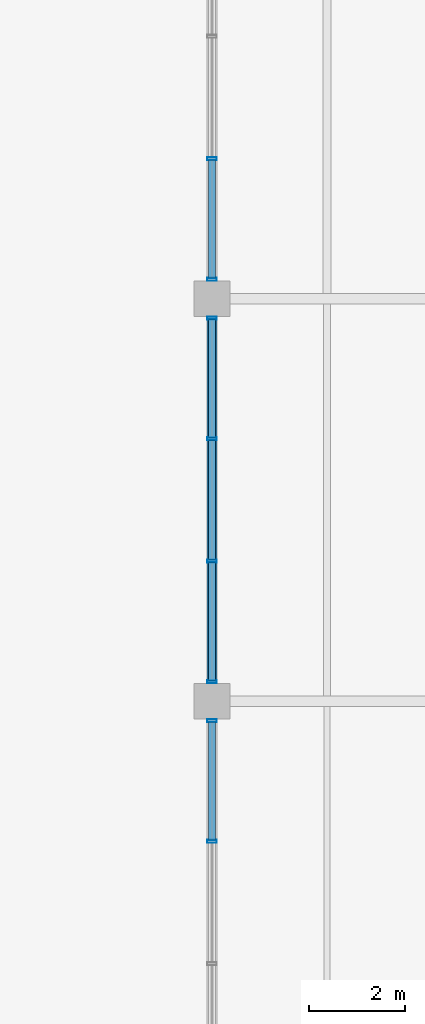
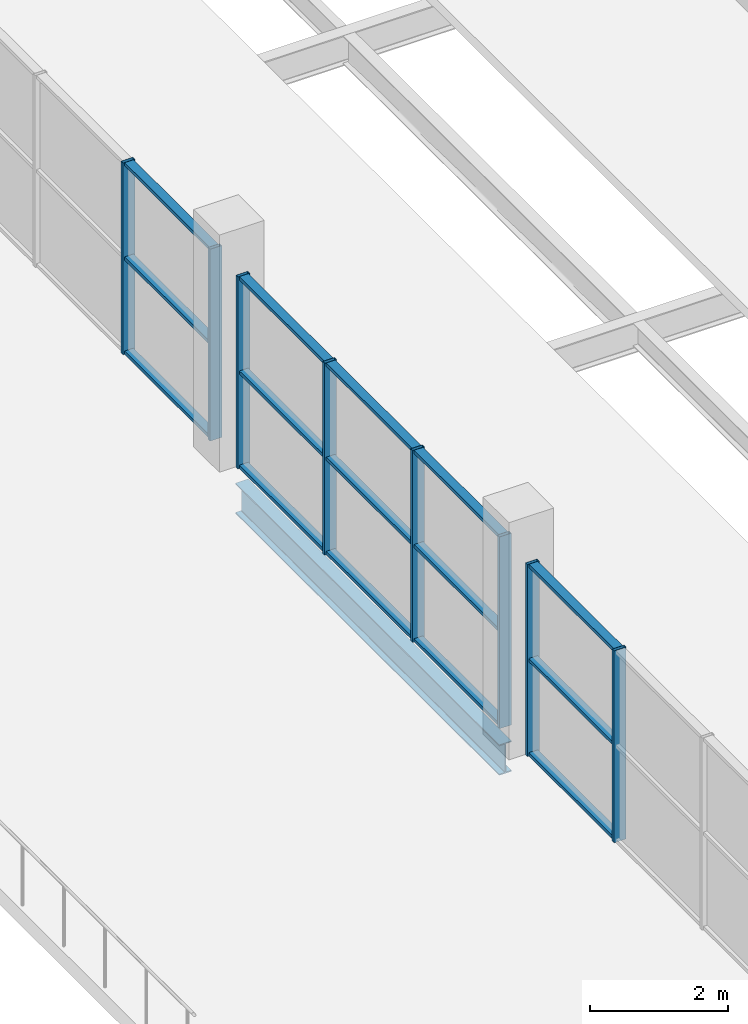
# One storey, part 69 of 161: 23 members, 1 beam, 3 elements without a shape of their own.
"""IFC4 building model written with IfcOpenShell, lengths in metres."""

from ifc_helpers import new_model, si_unit, direction, frame, origin, origin_2d, place, context, subcontext, project, spatial, hollow_rectangle, i_section, extrude, material, material_profile, profile_set, type_object, element, aggregate, save


model = new_model("IFC4")

# Units and contexts
model_context = context("Model", 3, precision=1e-05, world=origin(), true_north=direction((0.0, 1.0)))
body_context = subcontext(model_context, "Body", "Model", "MODEL_VIEW")
ifc_project = project(units=[si_unit("LENGTHUNIT", "METRE"), si_unit("AREAUNIT", "SQUARE_METRE"), si_unit("VOLUMEUNIT", "CUBIC_METRE"), si_unit("PLANEANGLEUNIT", "RADIAN"), si_unit("MASSUNIT", "GRAM", prefix="KILO"), si_unit("THERMODYNAMICTEMPERATUREUNIT", "KELVIN")], contexts=[model_context])

# Site, building, storey
site_placement = place(None, origin())
site = spatial("IfcSite", under=ifc_project, at=site_placement, CompositionType="ELEMENT")
building_placement = place(site_placement, origin())
building = spatial("IfcBuilding", under=site, at=building_placement, Name="Nduvali Passage Aquatics Centre", CompositionType="ELEMENT")
storey_placement = place(building_placement, frame((0.0, 0.0, 4.800048828125)))
storey = spatial("IfcBuildingStorey", under=building, at=storey_placement, Name="L01", CompositionType="ELEMENT", Elevation=4.800048828125)

# Curtain wall, members
ifc_material_1 = material(Name="Aluminium EN AW-6063 T6", Category="aluminium")
curtain_wall_type = type_object("IfcCurtainWallType", Name="ENV-CW-HALL", PredefinedType="NOTDEFINED", material=ifc_material_1)
curtain_wall_1_placement = place(storey_placement, origin())
curtain_wall_1 = element("IfcCurtainWall", 1, at=curtain_wall_1_placement, inside=storey, type_object=curtain_wall_type, Name="L01 East Passage Pool Hall Gallery Glazing 030", PredefinedType="NOTDEFINED")
ifc_material_profile_1 = material_profile(ifc_material_1, hollow_rectangle(XDim=0.06005859375, YDim=0.199951171875, WallThickness=0.00390625, at=origin_2d()), Name="ALU MULLION 60x200x4")
ifc_profile_set_1 = profile_set([ifc_material_profile_1], Name="Aluminium EN AW-6063 T6")
member_type_1 = type_object("IfcMemberType", Name="ENV-MEM-MUL80", PredefinedType="MULLION", material=ifc_profile_set_1)
member_1_placement = place(storey_placement, frame((126.0, 64.27490234375, 0.0), z_axis=(0.0, 0.0, 1.0), x_axis=(0.0, 1.0, 0.0)))
member_1 = element("IfcMember", 2, at=member_1_placement, type_object=member_type_1, Name="East Passage Pool Hall Gallery Glazing Mullion 3", PredefinedType="MULLION", context=body_context, shape_type="SweptSolid", body=[
    extrude(hollow_rectangle(XDim=0.06005859375, YDim=0.199951171875, WallThickness=0.00390625, at=origin_2d()), origin(), (0.0, 0.0, 1.0), 3.396484375),
])
member_2_placement = place(storey_placement, frame((126.0, 66.794921875, 0.0), z_axis=(0.0, 0.0, 1.0), x_axis=(0.0, 1.0, 0.0)))
member_2 = element("IfcMember", 3, at=member_2_placement, type_object=member_type_1, Name="East Passage Pool Hall Gallery Glazing Mullion 4", PredefinedType="MULLION", context=body_context, shape_type="SweptSolid", body=[
    extrude(hollow_rectangle(XDim=0.06005859375, YDim=0.199951171875, WallThickness=0.00390625, at=origin_2d()), origin(), (0.0, 0.0, 1.0), 3.396484375),
])

curtain_wall_2_placement = place(storey_placement, origin())
curtain_wall_2 = element("IfcCurtainWall", 4, at=curtain_wall_2_placement, inside=storey, type_object=curtain_wall_type, Name="L01 East Passage Pool Hall Gallery Glazing 034", PredefinedType="NOTDEFINED")
member_3_placement = place(storey_placement, frame((126.0, 67.60498046875, 0.0), z_axis=(0.0, 0.0, 1.0), x_axis=(0.0, 1.0, 0.0)))
member_3 = element("IfcMember", 5, at=member_3_placement, type_object=member_type_1, Name="East Passage Pool Hall Gallery Glazing Mullion 1", PredefinedType="MULLION", context=body_context, shape_type="SweptSolid", body=[
    extrude(hollow_rectangle(XDim=0.06005859375, YDim=0.199951171875, WallThickness=0.00390625, at=origin_2d()), origin(), (0.0, 0.0, 1.0), 3.396484375),
])
member_4_placement = place(storey_placement, frame((126.0, 70.125, 0.0), z_axis=(0.0, 0.0, 1.0), x_axis=(0.0, 1.0, 0.0)))
member_4 = element("IfcMember", 6, at=member_4_placement, type_object=member_type_1, Name="East Passage Pool Hall Gallery Glazing Mullion 2", PredefinedType="MULLION", context=body_context, shape_type="SweptSolid", body=[
    extrude(hollow_rectangle(XDim=0.06005859375, YDim=0.199951171875, WallThickness=0.00390625, at=origin_2d()), origin(), (0.0, 0.0, 1.0), 3.396484375),
])
member_5_placement = place(storey_placement, frame((126.0, 72.675048828125, 0.0), z_axis=(0.0, 0.0, 1.0), x_axis=(0.0, 1.0, 0.0)))
member_5 = element("IfcMember", 7, at=member_5_placement, type_object=member_type_1, Name="East Passage Pool Hall Gallery Glazing Mullion 3", PredefinedType="MULLION", context=body_context, shape_type="SweptSolid", body=[
    extrude(hollow_rectangle(XDim=0.06005859375, YDim=0.199951171875, WallThickness=0.00390625, at=origin_2d()), origin(), (0.0, 0.0, 1.0), 3.396484375),
])
member_6_placement = place(storey_placement, frame((126.0, 75.195068359375, 0.0), z_axis=(0.0, 0.0, 1.0), x_axis=(0.0, 1.0, 0.0)))
member_6 = element("IfcMember", 8, at=member_6_placement, type_object=member_type_1, Name="East Passage Pool Hall Gallery Glazing Mullion 4", PredefinedType="MULLION", context=body_context, shape_type="SweptSolid", body=[
    extrude(hollow_rectangle(XDim=0.06005859375, YDim=0.199951171875, WallThickness=0.00390625, at=origin_2d()), origin(), (0.0, 0.0, 1.0), 3.396484375),
])

curtain_wall_3_placement = place(storey_placement, origin())
curtain_wall_3 = element("IfcCurtainWall", 9, at=curtain_wall_3_placement, inside=storey, type_object=curtain_wall_type, Name="L01 East Passage Pool Hall Gallery Glazing 038", PredefinedType="NOTDEFINED")
member_7_placement = place(storey_placement, frame((126.0, 76.0048828125, 0.0), z_axis=(0.0, 0.0, 1.0), x_axis=(0.0, 1.0, 0.0)))
member_7 = element("IfcMember", 10, at=member_7_placement, type_object=member_type_1, Name="East Passage Pool Hall Gallery Glazing Mullion 1", PredefinedType="MULLION", context=body_context, shape_type="SweptSolid", body=[
    extrude(hollow_rectangle(XDim=0.06005859375, YDim=0.199951171875, WallThickness=0.00390625, at=origin_2d()), origin(), (0.0, 0.0, 1.0), 3.396484375),
])
member_8_placement = place(storey_placement, frame((126.0, 78.52490234375, 0.0), z_axis=(0.0, 0.0, 1.0), x_axis=(0.0, 1.0, 0.0)))
member_8 = element("IfcMember", 11, at=member_8_placement, type_object=member_type_1, Name="East Passage Pool Hall Gallery Glazing Mullion 2", PredefinedType="MULLION", context=body_context, shape_type="SweptSolid", body=[
    extrude(hollow_rectangle(XDim=0.06005859375, YDim=0.199951171875, WallThickness=0.00390625, at=origin_2d()), origin(), (0.0, 0.0, 1.0), 3.396484375),
])

# Member
ifc_material_profile_2 = material_profile(ifc_material_1, hollow_rectangle(XDim=0.14990234375, YDim=0.06005859375, WallThickness=0.00390625, at=origin_2d()), Name="ALU TRANSOM 150x60x4")
ifc_profile_set_2 = profile_set([ifc_material_profile_2], Name="Aluminium EN AW-6063 T6")
member_type_2 = type_object("IfcMemberType", Name="ENV-MEM-TRN80", PredefinedType="USERDEFINED", material=ifc_profile_set_2)
member_9_placement = place(storey_placement, frame((126.0, 64.304931640625, 0.030029296875), z_axis=(0.0, 1.0, 0.0), x_axis=(-1.0, 0.0, 0.0)))
member_9 = element("IfcMember", 12, at=member_9_placement, type_object=member_type_2, Name="East Passage Pool Hall Gallery Glazing Transom B3-R0", ObjectType="TRANSOM", PredefinedType="USERDEFINED", context=body_context, shape_type="SweptSolid", body=[
    extrude(hollow_rectangle(XDim=0.14990234375, YDim=0.06005859375, WallThickness=0.00390625, at=origin_2d()), origin(), (0.0, 0.0, 1.0), 2.4599609375),
])

member_10_placement = place(storey_placement, frame((126.0, 64.304931640625, 1.6982421875), z_axis=(0.0, 1.0, 0.0), x_axis=(-1.0, 0.0, 0.0)))
member_10 = element("IfcMember", 13, at=member_10_placement, type_object=member_type_2, Name="East Passage Pool Hall Gallery Glazing Transom B3-R1", ObjectType="TRANSOM", PredefinedType="USERDEFINED", context=body_context, shape_type="SweptSolid", body=[
    extrude(hollow_rectangle(XDim=0.14990234375, YDim=0.06005859375, WallThickness=0.00390625, at=origin_2d()), origin(), (0.0, 0.0, 1.0), 2.4599609375),
])

member_11_placement = place(storey_placement, frame((126.0, 64.304931640625, 3.366455078125), z_axis=(0.0, 1.0, 0.0), x_axis=(-1.0, 0.0, 0.0)))
member_11 = element("IfcMember", 14, at=member_11_placement, type_object=member_type_2, Name="East Passage Pool Hall Gallery Glazing Transom B3-R2", ObjectType="TRANSOM", PredefinedType="USERDEFINED", context=body_context, shape_type="SweptSolid", body=[
    extrude(hollow_rectangle(XDim=0.14990234375, YDim=0.06005859375, WallThickness=0.00390625, at=origin_2d()), origin(), (0.0, 0.0, 1.0), 2.4599609375),
])

aggregate(curtain_wall_1, [member_1, member_2, member_9, member_10, member_11])

member_12_placement = place(storey_placement, frame((126.0, 67.635009765625, 0.030029296875), z_axis=(0.0, 1.0, 0.0), x_axis=(-1.0, 0.0, 0.0)))
member_12 = element("IfcMember", 15, at=member_12_placement, type_object=member_type_2, Name="East Passage Pool Hall Gallery Glazing Transom B1-R0", ObjectType="TRANSOM", PredefinedType="USERDEFINED", context=body_context, shape_type="SweptSolid", body=[
    extrude(hollow_rectangle(XDim=0.14990234375, YDim=0.06005859375, WallThickness=0.00390625, at=origin_2d()), origin(), (0.0, 0.0, 1.0), 2.4599609375),
])

member_13_placement = place(storey_placement, frame((126.0, 67.635009765625, 1.6982421875), z_axis=(0.0, 1.0, 0.0), x_axis=(-1.0, 0.0, 0.0)))
member_13 = element("IfcMember", 16, at=member_13_placement, type_object=member_type_2, Name="East Passage Pool Hall Gallery Glazing Transom B1-R1", ObjectType="TRANSOM", PredefinedType="USERDEFINED", context=body_context, shape_type="SweptSolid", body=[
    extrude(hollow_rectangle(XDim=0.14990234375, YDim=0.06005859375, WallThickness=0.00390625, at=origin_2d()), origin(), (0.0, 0.0, 1.0), 2.4599609375),
])

member_14_placement = place(storey_placement, frame((126.0, 67.635009765625, 3.366455078125), z_axis=(0.0, 1.0, 0.0), x_axis=(-1.0, 0.0, 0.0)))
member_14 = element("IfcMember", 17, at=member_14_placement, type_object=member_type_2, Name="East Passage Pool Hall Gallery Glazing Transom B1-R2", ObjectType="TRANSOM", PredefinedType="USERDEFINED", context=body_context, shape_type="SweptSolid", body=[
    extrude(hollow_rectangle(XDim=0.14990234375, YDim=0.06005859375, WallThickness=0.00390625, at=origin_2d()), origin(), (0.0, 0.0, 1.0), 2.4599609375),
])

member_15_placement = place(storey_placement, frame((126.0, 70.155029296875, 0.030029296875), z_axis=(0.0, 1.0, 0.0), x_axis=(-1.0, 0.0, 0.0)))
member_15 = element("IfcMember", 18, at=member_15_placement, type_object=member_type_2, Name="East Passage Pool Hall Gallery Glazing Transom B2-R0", ObjectType="TRANSOM", PredefinedType="USERDEFINED", context=body_context, shape_type="SweptSolid", body=[
    extrude(hollow_rectangle(XDim=0.14990234375, YDim=0.06005859375, WallThickness=0.00390625, at=origin_2d()), origin(), (0.0, 0.0, 1.0), 2.489990234375),
])

member_16_placement = place(storey_placement, frame((126.0, 70.155029296875, 1.6982421875), z_axis=(0.0, 1.0, 0.0), x_axis=(-1.0, 0.0, 0.0)))
member_16 = element("IfcMember", 19, at=member_16_placement, type_object=member_type_2, Name="East Passage Pool Hall Gallery Glazing Transom B2-R1", ObjectType="TRANSOM", PredefinedType="USERDEFINED", context=body_context, shape_type="SweptSolid", body=[
    extrude(hollow_rectangle(XDim=0.14990234375, YDim=0.06005859375, WallThickness=0.00390625, at=origin_2d()), origin(), (0.0, 0.0, 1.0), 2.489990234375),
])

member_17_placement = place(storey_placement, frame((126.0, 70.155029296875, 3.366455078125), z_axis=(0.0, 1.0, 0.0), x_axis=(-1.0, 0.0, 0.0)))
member_17 = element("IfcMember", 20, at=member_17_placement, type_object=member_type_2, Name="East Passage Pool Hall Gallery Glazing Transom B2-R2", ObjectType="TRANSOM", PredefinedType="USERDEFINED", context=body_context, shape_type="SweptSolid", body=[
    extrude(hollow_rectangle(XDim=0.14990234375, YDim=0.06005859375, WallThickness=0.00390625, at=origin_2d()), origin(), (0.0, 0.0, 1.0), 2.489990234375),
])

member_18_placement = place(storey_placement, frame((126.0, 72.705078125, 0.030029296875), z_axis=(0.0, 1.0, 0.0), x_axis=(-1.0, 0.0, 0.0)))
member_18 = element("IfcMember", 21, at=member_18_placement, type_object=member_type_2, Name="East Passage Pool Hall Gallery Glazing Transom B3-R0", ObjectType="TRANSOM", PredefinedType="USERDEFINED", context=body_context, shape_type="SweptSolid", body=[
    extrude(hollow_rectangle(XDim=0.14990234375, YDim=0.06005859375, WallThickness=0.00390625, at=origin_2d()), origin(), (0.0, 0.0, 1.0), 2.4599609375),
])

member_19_placement = place(storey_placement, frame((126.0, 72.705078125, 1.6982421875), z_axis=(0.0, 1.0, 0.0), x_axis=(-1.0, 0.0, 0.0)))
member_19 = element("IfcMember", 22, at=member_19_placement, type_object=member_type_2, Name="East Passage Pool Hall Gallery Glazing Transom B3-R1", ObjectType="TRANSOM", PredefinedType="USERDEFINED", context=body_context, shape_type="SweptSolid", body=[
    extrude(hollow_rectangle(XDim=0.14990234375, YDim=0.06005859375, WallThickness=0.00390625, at=origin_2d()), origin(), (0.0, 0.0, 1.0), 2.4599609375),
])

member_20_placement = place(storey_placement, frame((126.0, 72.705078125, 3.366455078125), z_axis=(0.0, 1.0, 0.0), x_axis=(-1.0, 0.0, 0.0)))
member_20 = element("IfcMember", 23, at=member_20_placement, type_object=member_type_2, Name="East Passage Pool Hall Gallery Glazing Transom B3-R2", ObjectType="TRANSOM", PredefinedType="USERDEFINED", context=body_context, shape_type="SweptSolid", body=[
    extrude(hollow_rectangle(XDim=0.14990234375, YDim=0.06005859375, WallThickness=0.00390625, at=origin_2d()), origin(), (0.0, 0.0, 1.0), 2.4599609375),
])

aggregate(curtain_wall_2, [member_3, member_4, member_5, member_6, member_12, member_13, member_14, member_15, member_16, member_17, member_18, member_19, member_20])

member_21_placement = place(storey_placement, frame((126.0, 76.034912109375, 0.030029296875), z_axis=(0.0, 1.0, 0.0), x_axis=(-1.0, 0.0, 0.0)))
member_21 = element("IfcMember", 24, at=member_21_placement, type_object=member_type_2, Name="East Passage Pool Hall Gallery Glazing Transom B1-R0", ObjectType="TRANSOM", PredefinedType="USERDEFINED", context=body_context, shape_type="SweptSolid", body=[
    extrude(hollow_rectangle(XDim=0.14990234375, YDim=0.06005859375, WallThickness=0.00390625, at=origin_2d()), origin(), (0.0, 0.0, 1.0), 2.460205078125),
])

member_22_placement = place(storey_placement, frame((126.0, 76.034912109375, 1.6982421875), z_axis=(0.0, 1.0, 0.0), x_axis=(-1.0, 0.0, 0.0)))
member_22 = element("IfcMember", 25, at=member_22_placement, type_object=member_type_2, Name="East Passage Pool Hall Gallery Glazing Transom B1-R1", ObjectType="TRANSOM", PredefinedType="USERDEFINED", context=body_context, shape_type="SweptSolid", body=[
    extrude(hollow_rectangle(XDim=0.14990234375, YDim=0.06005859375, WallThickness=0.00390625, at=origin_2d()), origin(), (0.0, 0.0, 1.0), 2.460205078125),
])

member_23_placement = place(storey_placement, frame((126.0, 76.034912109375, 3.366455078125), z_axis=(0.0, 1.0, 0.0), x_axis=(-1.0, 0.0, 0.0)))
member_23 = element("IfcMember", 26, at=member_23_placement, type_object=member_type_2, Name="East Passage Pool Hall Gallery Glazing Transom B1-R2", ObjectType="TRANSOM", PredefinedType="USERDEFINED", context=body_context, shape_type="SweptSolid", body=[
    extrude(hollow_rectangle(XDim=0.14990234375, YDim=0.06005859375, WallThickness=0.00390625, at=origin_2d()), origin(), (0.0, 0.0, 1.0), 2.460205078125),
])

aggregate(curtain_wall_3, [member_7, member_8, member_21, member_22, member_23])

# Beam
ifc_material_2 = material(Name="Steel S355", Category="steel")
ifc_material_profile_3 = material_profile(ifc_material_2, i_section(OverallWidth=0.210693359375, OverallDepth=0.53955078125, WebThickness=0.01171875, FlangeThickness=0.018798828125, FilletRadius=0.0126953125, at=origin_2d()), Name="UKB 533x210x109")
ifc_profile_set_3 = profile_set([ifc_material_profile_3], Name="Steel S355")
beam_type = type_object("IfcBeamType", Name="STR-BM-UKB533-EXT", PredefinedType="BEAM", material=ifc_profile_set_3)
beam_placement = place(storey_placement, frame((126.0, 67.574951171875, -0.553955078125), z_axis=(0.0, 1.0, 0.0), x_axis=(-1.0, 0.0, 0.0)))
element("IfcBeam", 27, at=beam_placement, inside=storey, type_object=beam_type, Name="L01 Primary Y-Girder B6E-0630", PredefinedType="BEAM", context=body_context, shape_type="SweptSolid", body=[
    extrude(i_section(OverallWidth=0.210693359375, OverallDepth=0.53955078125, WebThickness=0.01171875, FlangeThickness=0.018798828125, FilletRadius=0.0126953125, at=origin_2d()), origin(), (0.0, 0.0, 1.0), 7.650146484375),
])

save(model, "model.ifc")
